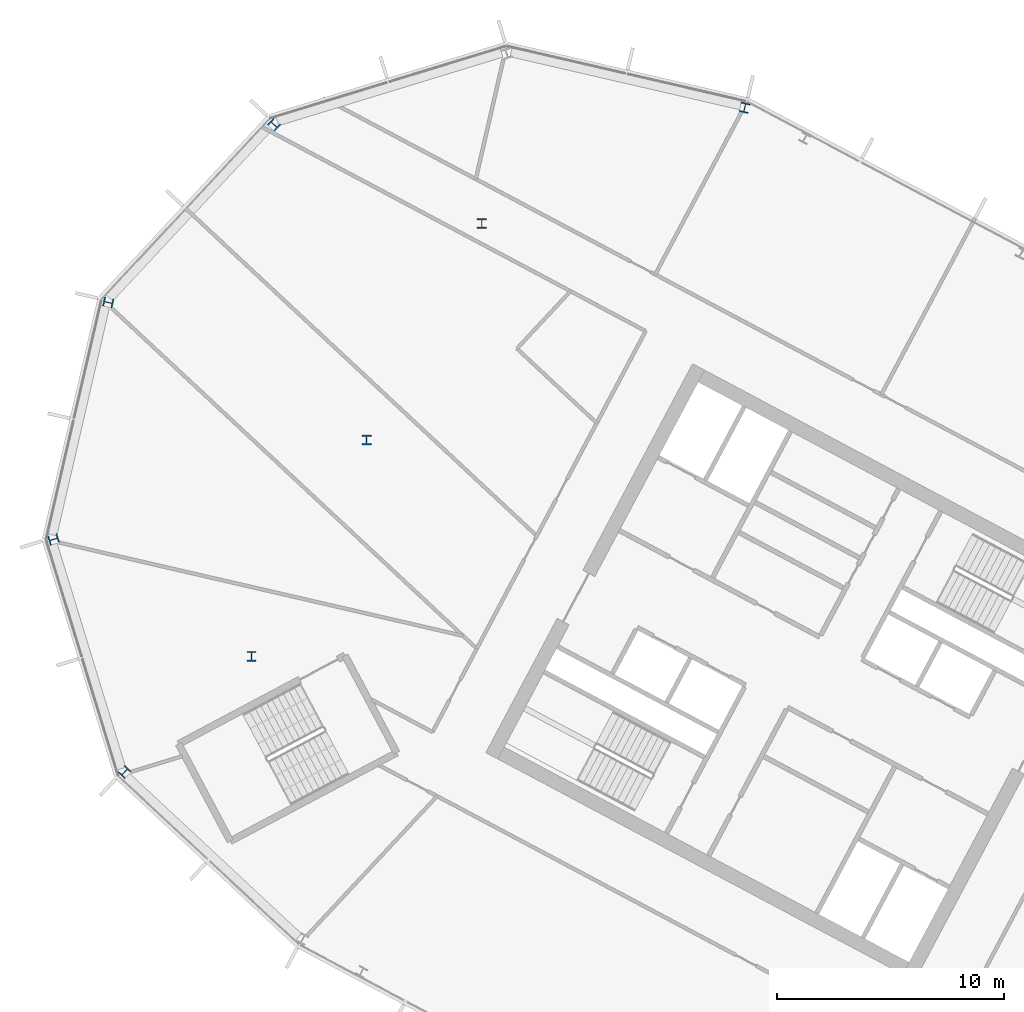
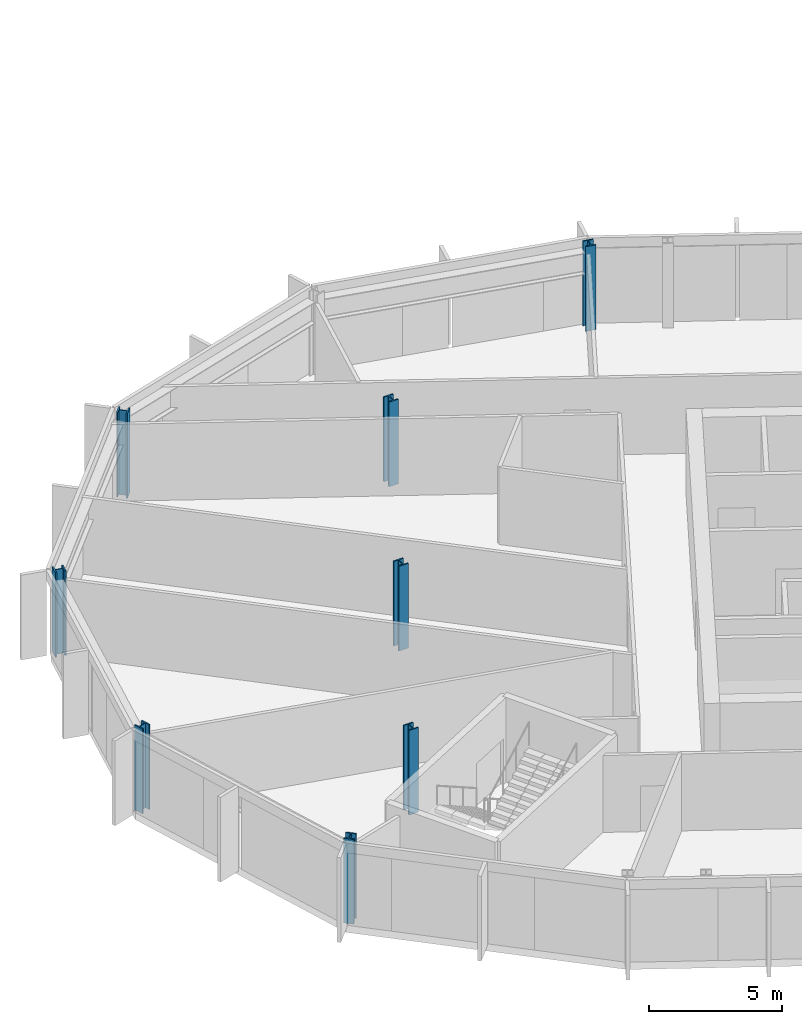
# One storey, part 3 of 26: 8 columns.
"""IFC4 building model written with IfcOpenShell, lengths in metres."""

from ifc_helpers import new_model, si_unit, direction, frame, origin, origin_2d, place, context, subcontext, project, spatial, i_section, extrude, material, material_profile, profile_set, type_object, element, save


model = new_model("IFC4")

# Units and contexts
model_context = context("Model", 3, precision=1e-05, world=origin(), true_north=direction((0.0, 1.0)))
body_context = subcontext(model_context, "Body", "Model", "MODEL_VIEW")
ifc_project = project(units=[si_unit("LENGTHUNIT", "METRE"), si_unit("AREAUNIT", "SQUARE_METRE"), si_unit("VOLUMEUNIT", "CUBIC_METRE"), si_unit("PLANEANGLEUNIT", "RADIAN"), si_unit("MASSUNIT", "GRAM", prefix="KILO")], contexts=[model_context])

# Site, building, storey
site_placement = place(None, origin())
site = spatial("IfcSite", under=ifc_project, at=site_placement, CompositionType="ELEMENT")
building_placement = place(site_placement, origin())
building = spatial("IfcBuilding", under=site, at=building_placement, Name="Cormorant Relay Tower", CompositionType="ELEMENT")
storey_placement = place(building_placement, frame((0.0, 0.0, 205.199951171875)))
storey = spatial("IfcBuildingStorey", under=building, at=storey_placement, Name="L44", CompositionType="ELEMENT", Elevation=205.199951171875)

# Columns
ifc_material = material(Name="Steel ASTM A992 (Fy 345 MPa)", Category="steel")
ifc_material_profile = material_profile(ifc_material, i_section(OverallWidth=0.41162109375, OverallDepth=0.434326171875, WebThickness=0.035888671875, FlangeThickness=0.057373046875, FilletRadius=0.01513671875, at=origin_2d()), Name="W360x463")
ifc_profile_set = profile_set([ifc_material_profile], Name="Steel ASTM A992 (Fy 345 MPa)")
column_type = type_object("IfcColumnType", Name="Column W360x463", PredefinedType="COLUMN", material=ifc_profile_set)
for number, where, z_axis, x_axis, name in (
    (1, (-57.279052734375, 10.162109375, 0.0), (0.0, 0.0, 1.0), (0.731353701619, -0.681998360062, 0.0), "Column L44-022"),
    (2, (-51.68994140625, 15.251953125, 0.0), (0.0, 0.0, 1.0), (1.0, 0.0, 0.0), "Column L44-027"),
    (3, (-60.409912109375, 20.404052734375, 0.0), (0.0, 0.0, 1.0), (0.292371704723, -0.956304755963, 0.0), "Column L44-028"),
    (4, (-46.6201171875, 24.7880859375, 0.0), (0.0, 0.0, 1.0), (1.0, 0.0, 0.0), "Column L44-031"),
    (5, (-58.0009765625, 30.840087890625, 0.0), (0.0, 0.0, 1.0), (-0.224951054344, -0.974370064785, 0.0), "Column L44-034"),
    (6, (-41.549072265625, 34.323974609375, 0.0), (0.0, 0.0, 1.0), (1.0, 0.0, 0.0), "Column L44-038"),
    (7, (-50.697021484375, 38.672119140625, 0.0), (0.0, 0.0, 1.0), (-0.681998360062, -0.731353701619, 0.0), "Column L44-042"),
    (8, (-29.968017578125, 39.4150390625, 0.0), (0.0, 0.0, 1.0), (-0.974370064785, 0.224951054344, 0.0), "Column L44-044"),
):
    element("IfcColumn", number, at=place(storey_placement, frame(where, z_axis=z_axis, x_axis=x_axis)), inside=storey, type_object=column_type, Name=name, PredefinedType="COLUMN", context=body_context, shape_type="SweptSolid", body=[
        extrude(i_section(OverallWidth=0.41162109375, OverallDepth=0.434326171875, WebThickness=0.035888671875, FlangeThickness=0.057373046875, FilletRadius=0.01513671875, at=origin_2d()), origin(), (0.0, 0.0, 1.0), 3.900146484375),
    ])

save(model, "model.ifc")
